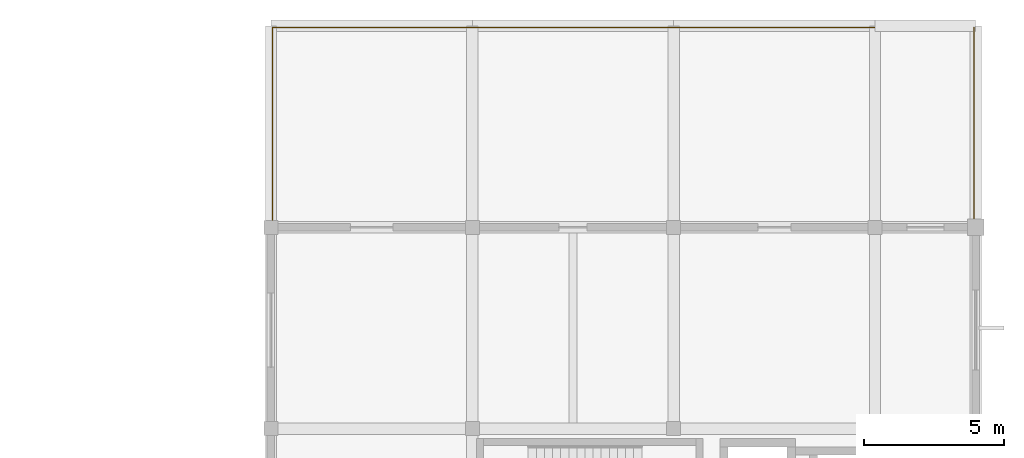
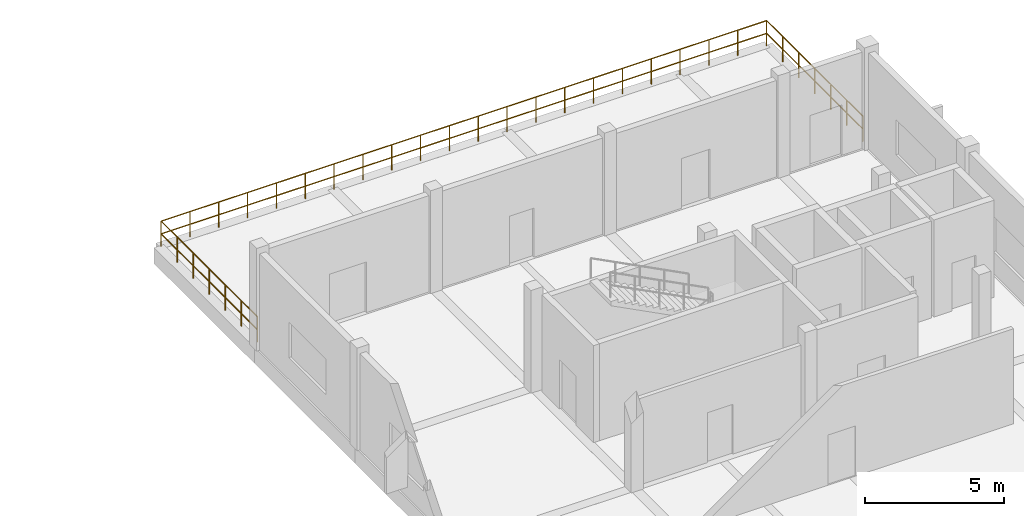
# One storey, part 9 of 9: 3 railings.
"""IFC4 building model written with IfcOpenShell, lengths in metres."""

from ifc_helpers import new_model, si_unit, direction, frame, origin, origin_2d, place, context, subcontext, project, spatial, circle, extrude, material, type_object, element, save


model = new_model("IFC4")

# Units and contexts
model_context = context("Model", 3, precision=1e-05, world=origin(), true_north=direction((0.0, 1.0)))
body_context = subcontext(model_context, "Body", "Model", "MODEL_VIEW")
ifc_project = project(units=[si_unit("LENGTHUNIT", "METRE"), si_unit("AREAUNIT", "SQUARE_METRE"), si_unit("VOLUMEUNIT", "CUBIC_METRE"), si_unit("PLANEANGLEUNIT", "RADIAN"), si_unit("MASSUNIT", "GRAM", prefix="KILO")], contexts=[model_context])

# Site, building, storey
site_placement = place(None, origin())
site = spatial("IfcSite", under=ifc_project, at=site_placement, CompositionType="ELEMENT")
building_placement = place(site_placement, origin())
building = spatial("IfcBuilding", under=site, at=building_placement, Name="Seraya Terrace Polytechnic", CompositionType="ELEMENT")
storey_placement = place(building_placement, frame((0.0, 0.0, 32.39990234375)))
storey = spatial("IfcBuildingStorey", under=building, at=storey_placement, Name="L07", CompositionType="ELEMENT", Elevation=32.39990234375)

# Railings
ifc_material = material(Name="Steel S355J2", Category="steel")
railing_type = type_object("IfcRailingType", Name="GR-01", PredefinedType="GUARDRAIL", material=ifc_material)
railing_1_placement = place(storey_placement, frame((104.340087890625, 50.639892578125, 0.0)))
element("IfcRailing", 1, at=railing_1_placement, inside=storey, type_object=railing_type, Name="Terrace perimeter guardrail TERR-L07-N E1", PredefinedType="GUARDRAIL", context=body_context, shape_type="SweptSolid", body=[
    extrude(circle(Radius=0.02392578125, at=origin_2d()), frame((0.0, 0.0, 1.10595703125), z_axis=(0.0, 1.0, 0.0), x_axis=(-1.0, 0.0, 0.0)), (0.0, 0.0, 1.0), 6.900146484375),
    extrude(circle(Radius=0.02392578125, at=origin_2d()), frame((0.0, 0.0, 0.550048828125), z_axis=(0.0, 1.0, 0.0), x_axis=(-1.0, 0.0, 0.0)), (0.0, 0.0, 1.0), 6.900146484375),
    extrude(circle(Radius=0.02099609375, at=origin_2d()), origin(), (0.0, 0.0, 1.0), 1.081787109375),
    extrude(circle(Radius=0.02099609375, at=origin_2d()), frame((0.0, 1.14990234375, 0.0)), (0.0, 0.0, 1.0), 1.081787109375),
    extrude(circle(Radius=0.02099609375, at=origin_2d()), frame((0.0, 2.300048828125, 0.0)), (0.0, 0.0, 1.0), 1.081787109375),
    extrude(circle(Radius=0.02099609375, at=origin_2d()), frame((0.0, 3.4501953125, 0.0)), (0.0, 0.0, 1.0), 1.081787109375),
    extrude(circle(Radius=0.02099609375, at=origin_2d()), frame((0.0, 4.60009765625, 0.0)), (0.0, 0.0, 1.0), 1.081787109375),
    extrude(circle(Radius=0.02099609375, at=origin_2d()), frame((0.0, 5.75, 0.0)), (0.0, 0.0, 1.0), 1.081787109375),
    extrude(circle(Radius=0.02099609375, at=origin_2d()), frame((0.0, 6.900146484375, 0.0)), (0.0, 0.0, 1.0), 1.081787109375),
])
railing_2_placement = place(storey_placement, frame((104.340087890625, 57.5400390625, 0.0)))
element("IfcRailing", 2, at=railing_2_placement, inside=storey, type_object=railing_type, Name="Terrace perimeter guardrail TERR-L07-N N1", PredefinedType="GUARDRAIL", context=body_context, shape_type="SweptSolid", body=[
    extrude(circle(Radius=0.02392578125, at=origin_2d()), frame((0.0, 0.0, 1.10595703125), z_axis=(-1.0, 0.0, 0.0), x_axis=(0.0, -1.0, 0.0)), (0.0, 0.0, 1.0), 25.080078125),
    extrude(circle(Radius=0.02392578125, at=origin_2d()), frame((0.0, 0.0, 0.550048828125), z_axis=(-1.0, 0.0, 0.0), x_axis=(0.0, -1.0, 0.0)), (0.0, 0.0, 1.0), 25.080078125),
    extrude(circle(Radius=0.02099609375, at=origin_2d()), origin(), (0.0, 0.0, 1.0), 1.081787109375),
    extrude(circle(Radius=0.02099609375, at=origin_2d()), frame((-1.1943359375, 0.0, 0.0)), (0.0, 0.0, 1.0), 1.081787109375),
    extrude(circle(Radius=0.02099609375, at=origin_2d()), frame((-2.388671875, 0.0, 0.0)), (0.0, 0.0, 1.0), 1.081787109375),
    extrude(circle(Radius=0.02099609375, at=origin_2d()), frame((-3.582763671875, 0.0, 0.0)), (0.0, 0.0, 1.0), 1.081787109375),
    extrude(circle(Radius=0.02099609375, at=origin_2d()), frame((-4.777099609375, 0.0, 0.0)), (0.0, 0.0, 1.0), 1.081787109375),
    extrude(circle(Radius=0.02099609375, at=origin_2d()), frame((-5.971435546875, 0.0, 0.0)), (0.0, 0.0, 1.0), 1.081787109375),
    extrude(circle(Radius=0.02099609375, at=origin_2d()), frame((-7.165771484375, 0.0, 0.0)), (0.0, 0.0, 1.0), 1.081787109375),
    extrude(circle(Radius=0.02099609375, at=origin_2d()), frame((-8.360107421875, 0.0, 0.0)), (0.0, 0.0, 1.0), 1.081787109375),
    extrude(circle(Radius=0.02099609375, at=origin_2d()), frame((-9.55419921875, 0.0, 0.0)), (0.0, 0.0, 1.0), 1.081787109375),
    extrude(circle(Radius=0.02099609375, at=origin_2d()), frame((-10.74853515625, 0.0, 0.0)), (0.0, 0.0, 1.0), 1.081787109375),
    extrude(circle(Radius=0.02099609375, at=origin_2d()), frame((-11.94287109375, 0.0, 0.0)), (0.0, 0.0, 1.0), 1.081787109375),
    extrude(circle(Radius=0.02099609375, at=origin_2d()), frame((-13.13720703125, 0.0, 0.0)), (0.0, 0.0, 1.0), 1.081787109375),
    extrude(circle(Radius=0.02099609375, at=origin_2d()), frame((-14.33154296875, 0.0, 0.0)), (0.0, 0.0, 1.0), 1.081787109375),
    extrude(circle(Radius=0.02099609375, at=origin_2d()), frame((-15.52587890625, 0.0, 0.0)), (0.0, 0.0, 1.0), 1.081787109375),
    extrude(circle(Radius=0.02099609375, at=origin_2d()), frame((-16.719970703125, 0.0, 0.0)), (0.0, 0.0, 1.0), 1.081787109375),
    extrude(circle(Radius=0.02099609375, at=origin_2d()), frame((-17.914306640625, 0.0, 0.0)), (0.0, 0.0, 1.0), 1.081787109375),
    extrude(circle(Radius=0.02099609375, at=origin_2d()), frame((-19.108642578125, 0.0, 0.0)), (0.0, 0.0, 1.0), 1.081787109375),
    extrude(circle(Radius=0.02099609375, at=origin_2d()), frame((-20.302978515625, 0.0, 0.0)), (0.0, 0.0, 1.0), 1.081787109375),
    extrude(circle(Radius=0.02099609375, at=origin_2d()), frame((-21.497314453125, 0.0, 0.0)), (0.0, 0.0, 1.0), 1.081787109375),
    extrude(circle(Radius=0.02099609375, at=origin_2d()), frame((-22.69140625, 0.0, 0.0)), (0.0, 0.0, 1.0), 1.081787109375),
    extrude(circle(Radius=0.02099609375, at=origin_2d()), frame((-23.8857421875, 0.0, 0.0)), (0.0, 0.0, 1.0), 1.081787109375),
    extrude(circle(Radius=0.02099609375, at=origin_2d()), frame((-25.080078125, 0.0, 0.0)), (0.0, 0.0, 1.0), 1.081787109375),
])
railing_3_placement = place(storey_placement, frame((79.260009765625, 57.5400390625, 0.0)))
element("IfcRailing", 3, at=railing_3_placement, inside=storey, type_object=railing_type, Name="Terrace perimeter guardrail TERR-L07-N W1", PredefinedType="GUARDRAIL", context=body_context, shape_type="SweptSolid", body=[
    extrude(circle(Radius=0.02392578125, at=origin_2d()), frame((0.0, 0.0, 1.10595703125), z_axis=(0.0, -1.0, 0.0), x_axis=(1.0, 0.0, 0.0)), (0.0, 0.0, 1.0), 6.900146484375),
    extrude(circle(Radius=0.02392578125, at=origin_2d()), frame((0.0, 0.0, 0.550048828125), z_axis=(0.0, -1.0, 0.0), x_axis=(1.0, 0.0, 0.0)), (0.0, 0.0, 1.0), 6.900146484375),
    extrude(circle(Radius=0.02099609375, at=origin_2d()), origin(), (0.0, 0.0, 1.0), 1.081787109375),
    extrude(circle(Radius=0.02099609375, at=origin_2d()), frame((0.0, -1.14990234375, 0.0)), (0.0, 0.0, 1.0), 1.081787109375),
    extrude(circle(Radius=0.02099609375, at=origin_2d()), frame((0.0, -2.300048828125, 0.0)), (0.0, 0.0, 1.0), 1.081787109375),
    extrude(circle(Radius=0.02099609375, at=origin_2d()), frame((0.0, -3.4501953125, 0.0)), (0.0, 0.0, 1.0), 1.081787109375),
    extrude(circle(Radius=0.02099609375, at=origin_2d()), frame((0.0, -4.60009765625, 0.0)), (0.0, 0.0, 1.0), 1.081787109375),
    extrude(circle(Radius=0.02099609375, at=origin_2d()), frame((0.0, -5.75, 0.0)), (0.0, 0.0, 1.0), 1.081787109375),
    extrude(circle(Radius=0.02099609375, at=origin_2d()), frame((0.0, -6.900146484375, 0.0)), (0.0, 0.0, 1.0), 1.081787109375),
])

save(model, "model.ifc")
